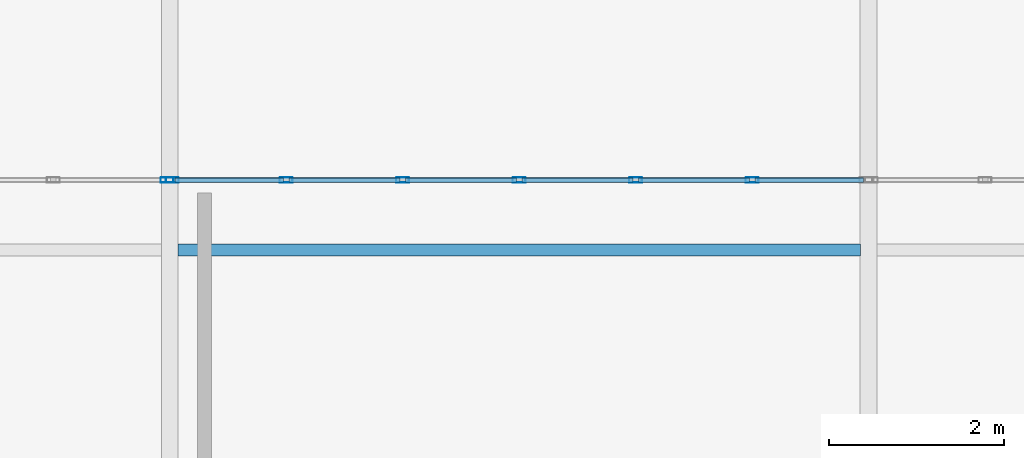
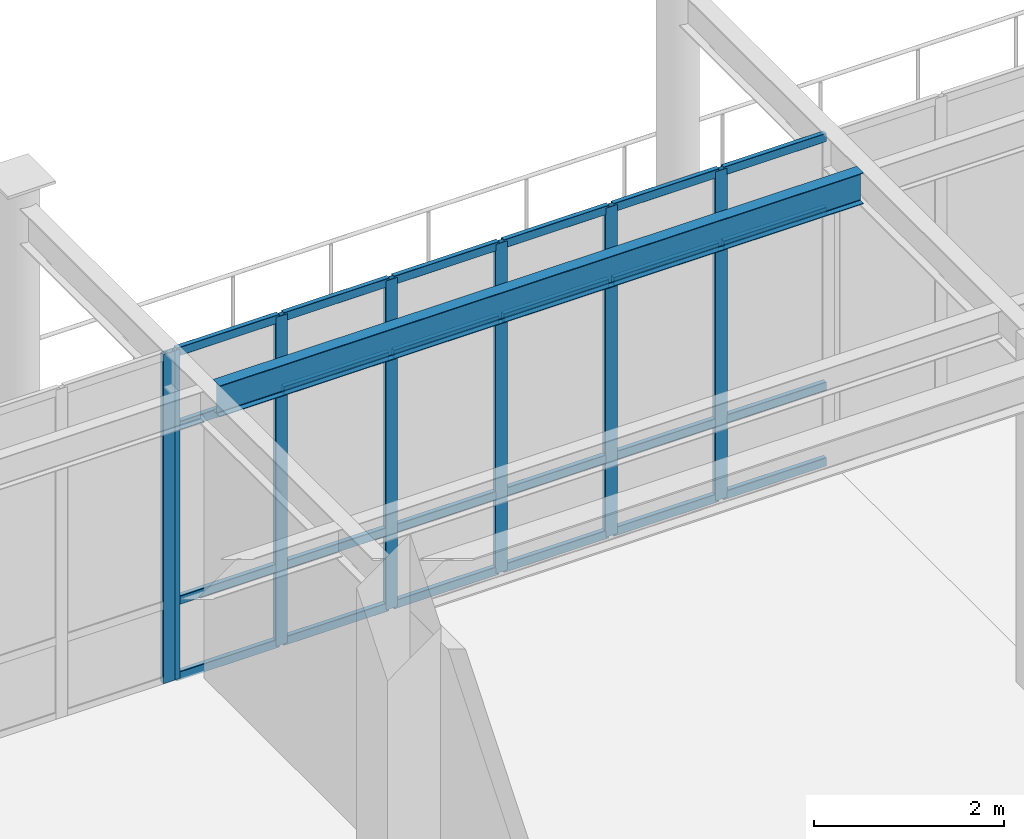
# One storey, part 23 of 75: 31 members, 1 beam, 2 elements without a shape of their own.
"""IFC4 building model written with IfcOpenShell, lengths in metres."""

from ifc_helpers import new_model, si_unit, direction, frame, origin, origin_2d, place, context, subcontext, project, spatial, hollow_rectangle, i_section, extrude, material, material_profile, profile_set, type_object, element, aggregate, save


model = new_model("IFC4")

# Units and contexts
model_context = context("Model", 3, precision=1e-05, world=origin(), true_north=direction((0.0, 1.0)))
body_context = subcontext(model_context, "Body", "Model", "MODEL_VIEW")
ifc_project = project(units=[si_unit("LENGTHUNIT", "METRE"), si_unit("AREAUNIT", "SQUARE_METRE"), si_unit("VOLUMEUNIT", "CUBIC_METRE"), si_unit("PLANEANGLEUNIT", "RADIAN"), si_unit("MASSUNIT", "GRAM", prefix="KILO")], contexts=[model_context])

# Site, building, storey
site_placement = place(None, origin())
site = spatial("IfcSite", under=ifc_project, at=site_placement, CompositionType="ELEMENT")
building_placement = place(site_placement, origin())
building = spatial("IfcBuilding", under=site, at=building_placement, Name="Solmirada Galleria", CompositionType="ELEMENT")
storey_placement = place(building_placement, frame((0.0, 0.0, 19.39990234375)))
storey = spatial("IfcBuildingStorey", under=building, at=storey_placement, Name="L04", CompositionType="ELEMENT", Elevation=19.39990234375)

# Beam
ifc_material_1 = material(Name="Steel S355 / ASTM A992 Grade 50", Category="steel")
ifc_material_profile_1 = material_profile(ifc_material_1, i_section(OverallWidth=0.139892578125, OverallDepth=0.39892578125, WebThickness=0.00634765625, FlangeThickness=0.0087890625, FilletRadius=0.010986328125, at=origin_2d()), Name="W16X26")
ifc_profile_set_1 = profile_set([ifc_material_profile_1], Name="Steel S355 / ASTM A992 Grade 50")
beam_type = type_object("IfcBeamType", Name="BM-JST-W16C", PredefinedType="JOIST", material=ifc_profile_set_1)
beam_placement = place(storey_placement, frame((104.096435546875, 28.0, 4.060546875), z_axis=(1.0, 0.0, 0.0), x_axis=(0.0, 1.0, 0.0)))
element("IfcBeam", 1, at=beam_placement, inside=storey, type_object=beam_type, Name="Composite floor joist L05 (104..112, 28.0)", PredefinedType="JOIST", context=body_context, shape_type="SweptSolid", body=[
    extrude(i_section(OverallWidth=0.139892578125, OverallDepth=0.39892578125, WebThickness=0.00634765625, FlangeThickness=0.0087890625, FilletRadius=0.010986328125, at=origin_2d()), origin(), (0.0, 0.0, 1.0), 7.80712890625),
])

# Curtain wall, member
ifc_material_2 = material(Name="Impact-resistant low-E double glazing", Category="glass")
curtain_wall_type = type_object("IfcCurtainWallType", Name="CW-FZ5-L04-B6-L080", PredefinedType="NOTDEFINED", material=ifc_material_2)
curtain_wall_1_placement = place(storey_placement, origin())
curtain_wall_1 = element("IfcCurtainWall", 2, at=curtain_wall_1_placement, inside=storey, type_object=curtain_wall_type, Name="Terrace and arcade storefront CW-L04-159", PredefinedType="NOTDEFINED")
ifc_material_3 = material(Name="Anodised aluminium framing", Category="aluminium")
ifc_material_profile_2 = material_profile(ifc_material_3, hollow_rectangle(XDim=0.06005859375, YDim=0.14990234375, WallThickness=0.00341796875, InnerFilletRadius=0.00341796875, OuterFilletRadius=0.007080078125, at=origin_2d()), Name="ALU-MULL-150X60")
ifc_profile_set_2 = profile_set([ifc_material_profile_2], Name="Anodised aluminium framing")
member_type_1 = type_object("IfcMemberType", Name="CW-MULL-150", PredefinedType="MULLION", material=ifc_profile_set_2)
member_1_placement = place(storey_placement, frame((103.969970703125, 28.800048828125, 0.0), z_axis=(0.0, 0.0, 1.0), x_axis=(0.0, 1.0, 0.0)))
member_1 = element("IfcMember", 3, at=member_1_placement, type_object=member_type_1, Name="CW32 mullion 7", PredefinedType="MULLION", context=body_context, shape_type="SweptSolid", body=[
    extrude(hollow_rectangle(XDim=0.06005859375, YDim=0.14990234375, WallThickness=0.00341796875, InnerFilletRadius=0.00341796875, OuterFilletRadius=0.007080078125, at=origin_2d()), origin(), (0.0, 0.0, 1.0), 4.22021484375),
])
aggregate(curtain_wall_1, [member_1])

# Curtain wall, members
curtain_wall_2_placement = place(storey_placement, origin())
curtain_wall_2 = element("IfcCurtainWall", 4, at=curtain_wall_2_placement, inside=storey, type_object=curtain_wall_type, Name="Terrace and arcade storefront CW-L04-160", PredefinedType="NOTDEFINED")
member_2_placement = place(storey_placement, frame((104.030029296875, 28.800048828125, 0.0), z_axis=(0.0, 0.0, 1.0), x_axis=(0.0, 1.0, 0.0)))
member_2 = element("IfcMember", 5, at=member_2_placement, type_object=member_type_1, Name="CW32 mullion 1", PredefinedType="MULLION", context=body_context, shape_type="SweptSolid", body=[
    extrude(hollow_rectangle(XDim=0.06005859375, YDim=0.14990234375, WallThickness=0.00341796875, InnerFilletRadius=0.00341796875, OuterFilletRadius=0.007080078125, at=origin_2d()), origin(), (0.0, 0.0, 1.0), 4.22021484375),
])
member_3_placement = place(storey_placement, frame((105.333251953125, 28.800048828125, 0.0), z_axis=(0.0, 0.0, 1.0), x_axis=(0.0, 1.0, 0.0)))
member_3 = element("IfcMember", 6, at=member_3_placement, type_object=member_type_1, Name="CW32 mullion 2", PredefinedType="MULLION", context=body_context, shape_type="SweptSolid", body=[
    extrude(hollow_rectangle(XDim=0.06005859375, YDim=0.14990234375, WallThickness=0.00341796875, InnerFilletRadius=0.00341796875, OuterFilletRadius=0.007080078125, at=origin_2d()), origin(), (0.0, 0.0, 1.0), 4.22021484375),
])
member_4_placement = place(storey_placement, frame((106.666748046875, 28.800048828125, 0.0), z_axis=(0.0, 0.0, 1.0), x_axis=(0.0, 1.0, 0.0)))
member_4 = element("IfcMember", 7, at=member_4_placement, type_object=member_type_1, Name="CW32 mullion 3", PredefinedType="MULLION", context=body_context, shape_type="SweptSolid", body=[
    extrude(hollow_rectangle(XDim=0.06005859375, YDim=0.14990234375, WallThickness=0.00341796875, InnerFilletRadius=0.00341796875, OuterFilletRadius=0.007080078125, at=origin_2d()), origin(), (0.0, 0.0, 1.0), 4.22021484375),
])
member_5_placement = place(storey_placement, frame((108.0, 28.800048828125, 0.0), z_axis=(0.0, 0.0, 1.0), x_axis=(0.0, 1.0, 0.0)))
member_5 = element("IfcMember", 8, at=member_5_placement, type_object=member_type_1, Name="CW32 mullion 4", PredefinedType="MULLION", context=body_context, shape_type="SweptSolid", body=[
    extrude(hollow_rectangle(XDim=0.06005859375, YDim=0.14990234375, WallThickness=0.00341796875, InnerFilletRadius=0.00341796875, OuterFilletRadius=0.007080078125, at=origin_2d()), origin(), (0.0, 0.0, 1.0), 4.22021484375),
])
member_6_placement = place(storey_placement, frame((109.333251953125, 28.800048828125, 0.0), z_axis=(0.0, 0.0, 1.0), x_axis=(0.0, 1.0, 0.0)))
member_6 = element("IfcMember", 9, at=member_6_placement, type_object=member_type_1, Name="CW32 mullion 5", PredefinedType="MULLION", context=body_context, shape_type="SweptSolid", body=[
    extrude(hollow_rectangle(XDim=0.06005859375, YDim=0.14990234375, WallThickness=0.00341796875, InnerFilletRadius=0.00341796875, OuterFilletRadius=0.007080078125, at=origin_2d()), origin(), (0.0, 0.0, 1.0), 4.22021484375),
])
member_7_placement = place(storey_placement, frame((110.666748046875, 28.800048828125, 0.0), z_axis=(0.0, 0.0, 1.0), x_axis=(0.0, 1.0, 0.0)))
member_7 = element("IfcMember", 10, at=member_7_placement, type_object=member_type_1, Name="CW32 mullion 6", PredefinedType="MULLION", context=body_context, shape_type="SweptSolid", body=[
    extrude(hollow_rectangle(XDim=0.06005859375, YDim=0.14990234375, WallThickness=0.00341796875, InnerFilletRadius=0.00341796875, OuterFilletRadius=0.007080078125, at=origin_2d()), origin(), (0.0, 0.0, 1.0), 4.22021484375),
])
ifc_material_profile_3 = material_profile(ifc_material_3, hollow_rectangle(XDim=0.06005859375, YDim=0.110107421875, WallThickness=0.003173828125, InnerFilletRadius=0.003173828125, OuterFilletRadius=0.00634765625, at=origin_2d()), Name="ALU-TRAN-110X60")
ifc_profile_set_3 = profile_set([ifc_material_profile_3], Name="Anodised aluminium framing")
member_type_2 = type_object("IfcMemberType", Name="CW-TRAN-110", PredefinedType="USERDEFINED", material=ifc_profile_set_3)
member_8_placement = place(storey_placement, frame((104.06005859375, 28.800048828125, 0.030029296875), z_axis=(1.0, 0.0, 0.0), x_axis=(0.0, 1.0, 0.0)))
member_8 = element("IfcMember", 11, at=member_8_placement, type_object=member_type_2, Name="CW32 transom 1.1", ObjectType="TRANSOM", PredefinedType="USERDEFINED", context=body_context, shape_type="SweptSolid", body=[
    extrude(hollow_rectangle(XDim=0.06005859375, YDim=0.110107421875, WallThickness=0.003173828125, InnerFilletRadius=0.003173828125, OuterFilletRadius=0.00634765625, at=origin_2d()), origin(), (0.0, 0.0, 1.0), 1.2431640625),
])
member_9_placement = place(storey_placement, frame((104.06005859375, 28.800048828125, 1.0), z_axis=(1.0, 0.0, 0.0), x_axis=(0.0, 1.0, 0.0)))
member_9 = element("IfcMember", 12, at=member_9_placement, type_object=member_type_2, Name="CW32 transom 1.2", ObjectType="TRANSOM", PredefinedType="USERDEFINED", context=body_context, shape_type="SweptSolid", body=[
    extrude(hollow_rectangle(XDim=0.06005859375, YDim=0.110107421875, WallThickness=0.003173828125, InnerFilletRadius=0.003173828125, OuterFilletRadius=0.00634765625, at=origin_2d()), origin(), (0.0, 0.0, 1.0), 1.2431640625),
])
member_10_placement = place(storey_placement, frame((104.06005859375, 28.800048828125, 3.239990234375), z_axis=(1.0, 0.0, 0.0), x_axis=(0.0, 1.0, 0.0)))
member_10 = element("IfcMember", 13, at=member_10_placement, type_object=member_type_2, Name="CW32 transom 1.3", ObjectType="TRANSOM", PredefinedType="USERDEFINED", context=body_context, shape_type="SweptSolid", body=[
    extrude(hollow_rectangle(XDim=0.06005859375, YDim=0.110107421875, WallThickness=0.003173828125, InnerFilletRadius=0.003173828125, OuterFilletRadius=0.00634765625, at=origin_2d()), origin(), (0.0, 0.0, 1.0), 1.2431640625),
])
member_11_placement = place(storey_placement, frame((104.06005859375, 28.800048828125, 4.190185546875), z_axis=(1.0, 0.0, 0.0), x_axis=(0.0, 1.0, 0.0)))
member_11 = element("IfcMember", 14, at=member_11_placement, type_object=member_type_2, Name="CW32 transom 1.4", ObjectType="TRANSOM", PredefinedType="USERDEFINED", context=body_context, shape_type="SweptSolid", body=[
    extrude(hollow_rectangle(XDim=0.06005859375, YDim=0.110107421875, WallThickness=0.003173828125, InnerFilletRadius=0.003173828125, OuterFilletRadius=0.00634765625, at=origin_2d()), origin(), (0.0, 0.0, 1.0), 1.2431640625),
])
member_12_placement = place(storey_placement, frame((105.36328125, 28.800048828125, 0.030029296875), z_axis=(1.0, 0.0, 0.0), x_axis=(0.0, 1.0, 0.0)))
member_12 = element("IfcMember", 15, at=member_12_placement, type_object=member_type_2, Name="CW32 transom 2.1", ObjectType="TRANSOM", PredefinedType="USERDEFINED", context=body_context, shape_type="SweptSolid", body=[
    extrude(hollow_rectangle(XDim=0.06005859375, YDim=0.110107421875, WallThickness=0.003173828125, InnerFilletRadius=0.003173828125, OuterFilletRadius=0.00634765625, at=origin_2d()), origin(), (0.0, 0.0, 1.0), 1.2734375),
])
member_13_placement = place(storey_placement, frame((105.36328125, 28.800048828125, 1.0), z_axis=(1.0, 0.0, 0.0), x_axis=(0.0, 1.0, 0.0)))
member_13 = element("IfcMember", 16, at=member_13_placement, type_object=member_type_2, Name="CW32 transom 2.2", ObjectType="TRANSOM", PredefinedType="USERDEFINED", context=body_context, shape_type="SweptSolid", body=[
    extrude(hollow_rectangle(XDim=0.06005859375, YDim=0.110107421875, WallThickness=0.003173828125, InnerFilletRadius=0.003173828125, OuterFilletRadius=0.00634765625, at=origin_2d()), origin(), (0.0, 0.0, 1.0), 1.2734375),
])
member_14_placement = place(storey_placement, frame((105.36328125, 28.800048828125, 3.239990234375), z_axis=(1.0, 0.0, 0.0), x_axis=(0.0, 1.0, 0.0)))
member_14 = element("IfcMember", 17, at=member_14_placement, type_object=member_type_2, Name="CW32 transom 2.3", ObjectType="TRANSOM", PredefinedType="USERDEFINED", context=body_context, shape_type="SweptSolid", body=[
    extrude(hollow_rectangle(XDim=0.06005859375, YDim=0.110107421875, WallThickness=0.003173828125, InnerFilletRadius=0.003173828125, OuterFilletRadius=0.00634765625, at=origin_2d()), origin(), (0.0, 0.0, 1.0), 1.2734375),
])
member_15_placement = place(storey_placement, frame((105.36328125, 28.800048828125, 4.190185546875), z_axis=(1.0, 0.0, 0.0), x_axis=(0.0, 1.0, 0.0)))
member_15 = element("IfcMember", 18, at=member_15_placement, type_object=member_type_2, Name="CW32 transom 2.4", ObjectType="TRANSOM", PredefinedType="USERDEFINED", context=body_context, shape_type="SweptSolid", body=[
    extrude(hollow_rectangle(XDim=0.06005859375, YDim=0.110107421875, WallThickness=0.003173828125, InnerFilletRadius=0.003173828125, OuterFilletRadius=0.00634765625, at=origin_2d()), origin(), (0.0, 0.0, 1.0), 1.2734375),
])
member_16_placement = place(storey_placement, frame((106.69677734375, 28.800048828125, 0.030029296875), z_axis=(1.0, 0.0, 0.0), x_axis=(0.0, 1.0, 0.0)))
member_16 = element("IfcMember", 19, at=member_16_placement, type_object=member_type_2, Name="CW32 transom 3.1", ObjectType="TRANSOM", PredefinedType="USERDEFINED", context=body_context, shape_type="SweptSolid", body=[
    extrude(hollow_rectangle(XDim=0.06005859375, YDim=0.110107421875, WallThickness=0.003173828125, InnerFilletRadius=0.003173828125, OuterFilletRadius=0.00634765625, at=origin_2d()), origin(), (0.0, 0.0, 1.0), 1.273193359375),
])
member_17_placement = place(storey_placement, frame((106.69677734375, 28.800048828125, 1.0), z_axis=(1.0, 0.0, 0.0), x_axis=(0.0, 1.0, 0.0)))
member_17 = element("IfcMember", 20, at=member_17_placement, type_object=member_type_2, Name="CW32 transom 3.2", ObjectType="TRANSOM", PredefinedType="USERDEFINED", context=body_context, shape_type="SweptSolid", body=[
    extrude(hollow_rectangle(XDim=0.06005859375, YDim=0.110107421875, WallThickness=0.003173828125, InnerFilletRadius=0.003173828125, OuterFilletRadius=0.00634765625, at=origin_2d()), origin(), (0.0, 0.0, 1.0), 1.273193359375),
])
member_18_placement = place(storey_placement, frame((106.69677734375, 28.800048828125, 3.239990234375), z_axis=(1.0, 0.0, 0.0), x_axis=(0.0, 1.0, 0.0)))
member_18 = element("IfcMember", 21, at=member_18_placement, type_object=member_type_2, Name="CW32 transom 3.3", ObjectType="TRANSOM", PredefinedType="USERDEFINED", context=body_context, shape_type="SweptSolid", body=[
    extrude(hollow_rectangle(XDim=0.06005859375, YDim=0.110107421875, WallThickness=0.003173828125, InnerFilletRadius=0.003173828125, OuterFilletRadius=0.00634765625, at=origin_2d()), origin(), (0.0, 0.0, 1.0), 1.273193359375),
])
member_19_placement = place(storey_placement, frame((106.69677734375, 28.800048828125, 4.190185546875), z_axis=(1.0, 0.0, 0.0), x_axis=(0.0, 1.0, 0.0)))
member_19 = element("IfcMember", 22, at=member_19_placement, type_object=member_type_2, Name="CW32 transom 3.4", ObjectType="TRANSOM", PredefinedType="USERDEFINED", context=body_context, shape_type="SweptSolid", body=[
    extrude(hollow_rectangle(XDim=0.06005859375, YDim=0.110107421875, WallThickness=0.003173828125, InnerFilletRadius=0.003173828125, OuterFilletRadius=0.00634765625, at=origin_2d()), origin(), (0.0, 0.0, 1.0), 1.273193359375),
])
member_20_placement = place(storey_placement, frame((108.030029296875, 28.800048828125, 0.030029296875), z_axis=(1.0, 0.0, 0.0), x_axis=(0.0, 1.0, 0.0)))
member_20 = element("IfcMember", 23, at=member_20_placement, type_object=member_type_2, Name="CW32 transom 4.1", ObjectType="TRANSOM", PredefinedType="USERDEFINED", context=body_context, shape_type="SweptSolid", body=[
    extrude(hollow_rectangle(XDim=0.06005859375, YDim=0.110107421875, WallThickness=0.003173828125, InnerFilletRadius=0.003173828125, OuterFilletRadius=0.00634765625, at=origin_2d()), origin(), (0.0, 0.0, 1.0), 1.273193359375),
])
member_21_placement = place(storey_placement, frame((108.030029296875, 28.800048828125, 1.0), z_axis=(1.0, 0.0, 0.0), x_axis=(0.0, 1.0, 0.0)))
member_21 = element("IfcMember", 24, at=member_21_placement, type_object=member_type_2, Name="CW32 transom 4.2", ObjectType="TRANSOM", PredefinedType="USERDEFINED", context=body_context, shape_type="SweptSolid", body=[
    extrude(hollow_rectangle(XDim=0.06005859375, YDim=0.110107421875, WallThickness=0.003173828125, InnerFilletRadius=0.003173828125, OuterFilletRadius=0.00634765625, at=origin_2d()), origin(), (0.0, 0.0, 1.0), 1.273193359375),
])
member_22_placement = place(storey_placement, frame((108.030029296875, 28.800048828125, 3.239990234375), z_axis=(1.0, 0.0, 0.0), x_axis=(0.0, 1.0, 0.0)))
member_22 = element("IfcMember", 25, at=member_22_placement, type_object=member_type_2, Name="CW32 transom 4.3", ObjectType="TRANSOM", PredefinedType="USERDEFINED", context=body_context, shape_type="SweptSolid", body=[
    extrude(hollow_rectangle(XDim=0.06005859375, YDim=0.110107421875, WallThickness=0.003173828125, InnerFilletRadius=0.003173828125, OuterFilletRadius=0.00634765625, at=origin_2d()), origin(), (0.0, 0.0, 1.0), 1.273193359375),
])
member_23_placement = place(storey_placement, frame((108.030029296875, 28.800048828125, 4.190185546875), z_axis=(1.0, 0.0, 0.0), x_axis=(0.0, 1.0, 0.0)))
member_23 = element("IfcMember", 26, at=member_23_placement, type_object=member_type_2, Name="CW32 transom 4.4", ObjectType="TRANSOM", PredefinedType="USERDEFINED", context=body_context, shape_type="SweptSolid", body=[
    extrude(hollow_rectangle(XDim=0.06005859375, YDim=0.110107421875, WallThickness=0.003173828125, InnerFilletRadius=0.003173828125, OuterFilletRadius=0.00634765625, at=origin_2d()), origin(), (0.0, 0.0, 1.0), 1.273193359375),
])
member_24_placement = place(storey_placement, frame((109.36328125, 28.800048828125, 0.030029296875), z_axis=(1.0, 0.0, 0.0), x_axis=(0.0, 1.0, 0.0)))
member_24 = element("IfcMember", 27, at=member_24_placement, type_object=member_type_2, Name="CW32 transom 5.1", ObjectType="TRANSOM", PredefinedType="USERDEFINED", context=body_context, shape_type="SweptSolid", body=[
    extrude(hollow_rectangle(XDim=0.06005859375, YDim=0.110107421875, WallThickness=0.003173828125, InnerFilletRadius=0.003173828125, OuterFilletRadius=0.00634765625, at=origin_2d()), origin(), (0.0, 0.0, 1.0), 1.2734375),
])
member_25_placement = place(storey_placement, frame((109.36328125, 28.800048828125, 1.0), z_axis=(1.0, 0.0, 0.0), x_axis=(0.0, 1.0, 0.0)))
member_25 = element("IfcMember", 28, at=member_25_placement, type_object=member_type_2, Name="CW32 transom 5.2", ObjectType="TRANSOM", PredefinedType="USERDEFINED", context=body_context, shape_type="SweptSolid", body=[
    extrude(hollow_rectangle(XDim=0.06005859375, YDim=0.110107421875, WallThickness=0.003173828125, InnerFilletRadius=0.003173828125, OuterFilletRadius=0.00634765625, at=origin_2d()), origin(), (0.0, 0.0, 1.0), 1.2734375),
])
member_26_placement = place(storey_placement, frame((109.36328125, 28.800048828125, 3.239990234375), z_axis=(1.0, 0.0, 0.0), x_axis=(0.0, 1.0, 0.0)))
member_26 = element("IfcMember", 29, at=member_26_placement, type_object=member_type_2, Name="CW32 transom 5.3", ObjectType="TRANSOM", PredefinedType="USERDEFINED", context=body_context, shape_type="SweptSolid", body=[
    extrude(hollow_rectangle(XDim=0.06005859375, YDim=0.110107421875, WallThickness=0.003173828125, InnerFilletRadius=0.003173828125, OuterFilletRadius=0.00634765625, at=origin_2d()), origin(), (0.0, 0.0, 1.0), 1.2734375),
])
member_27_placement = place(storey_placement, frame((109.36328125, 28.800048828125, 4.190185546875), z_axis=(1.0, 0.0, 0.0), x_axis=(0.0, 1.0, 0.0)))
member_27 = element("IfcMember", 30, at=member_27_placement, type_object=member_type_2, Name="CW32 transom 5.4", ObjectType="TRANSOM", PredefinedType="USERDEFINED", context=body_context, shape_type="SweptSolid", body=[
    extrude(hollow_rectangle(XDim=0.06005859375, YDim=0.110107421875, WallThickness=0.003173828125, InnerFilletRadius=0.003173828125, OuterFilletRadius=0.00634765625, at=origin_2d()), origin(), (0.0, 0.0, 1.0), 1.2734375),
])
member_28_placement = place(storey_placement, frame((110.69677734375, 28.800048828125, 0.030029296875), z_axis=(1.0, 0.0, 0.0), x_axis=(0.0, 1.0, 0.0)))
member_28 = element("IfcMember", 31, at=member_28_placement, type_object=member_type_2, Name="CW32 transom 6.1", ObjectType="TRANSOM", PredefinedType="USERDEFINED", context=body_context, shape_type="SweptSolid", body=[
    extrude(hollow_rectangle(XDim=0.06005859375, YDim=0.110107421875, WallThickness=0.003173828125, InnerFilletRadius=0.003173828125, OuterFilletRadius=0.00634765625, at=origin_2d()), origin(), (0.0, 0.0, 1.0), 1.2431640625),
])
member_29_placement = place(storey_placement, frame((110.69677734375, 28.800048828125, 1.0), z_axis=(1.0, 0.0, 0.0), x_axis=(0.0, 1.0, 0.0)))
member_29 = element("IfcMember", 32, at=member_29_placement, type_object=member_type_2, Name="CW32 transom 6.2", ObjectType="TRANSOM", PredefinedType="USERDEFINED", context=body_context, shape_type="SweptSolid", body=[
    extrude(hollow_rectangle(XDim=0.06005859375, YDim=0.110107421875, WallThickness=0.003173828125, InnerFilletRadius=0.003173828125, OuterFilletRadius=0.00634765625, at=origin_2d()), origin(), (0.0, 0.0, 1.0), 1.2431640625),
])
member_30_placement = place(storey_placement, frame((110.69677734375, 28.800048828125, 3.239990234375), z_axis=(1.0, 0.0, 0.0), x_axis=(0.0, 1.0, 0.0)))
member_30 = element("IfcMember", 33, at=member_30_placement, type_object=member_type_2, Name="CW32 transom 6.3", ObjectType="TRANSOM", PredefinedType="USERDEFINED", context=body_context, shape_type="SweptSolid", body=[
    extrude(hollow_rectangle(XDim=0.06005859375, YDim=0.110107421875, WallThickness=0.003173828125, InnerFilletRadius=0.003173828125, OuterFilletRadius=0.00634765625, at=origin_2d()), origin(), (0.0, 0.0, 1.0), 1.2431640625),
])
member_31_placement = place(storey_placement, frame((110.69677734375, 28.800048828125, 4.190185546875), z_axis=(1.0, 0.0, 0.0), x_axis=(0.0, 1.0, 0.0)))
member_31 = element("IfcMember", 34, at=member_31_placement, type_object=member_type_2, Name="CW32 transom 6.4", ObjectType="TRANSOM", PredefinedType="USERDEFINED", context=body_context, shape_type="SweptSolid", body=[
    extrude(hollow_rectangle(XDim=0.06005859375, YDim=0.110107421875, WallThickness=0.003173828125, InnerFilletRadius=0.003173828125, OuterFilletRadius=0.00634765625, at=origin_2d()), origin(), (0.0, 0.0, 1.0), 1.2431640625),
])
aggregate(curtain_wall_2, [member_2, member_3, member_4, member_5, member_6, member_7, member_8, member_9, member_10, member_11, member_12, member_13, member_14, member_15, member_16, member_17, member_18, member_19, member_20, member_21, member_22, member_23, member_24, member_25, member_26, member_27, member_28, member_29, member_30, member_31])

save(model, "model.ifc")
